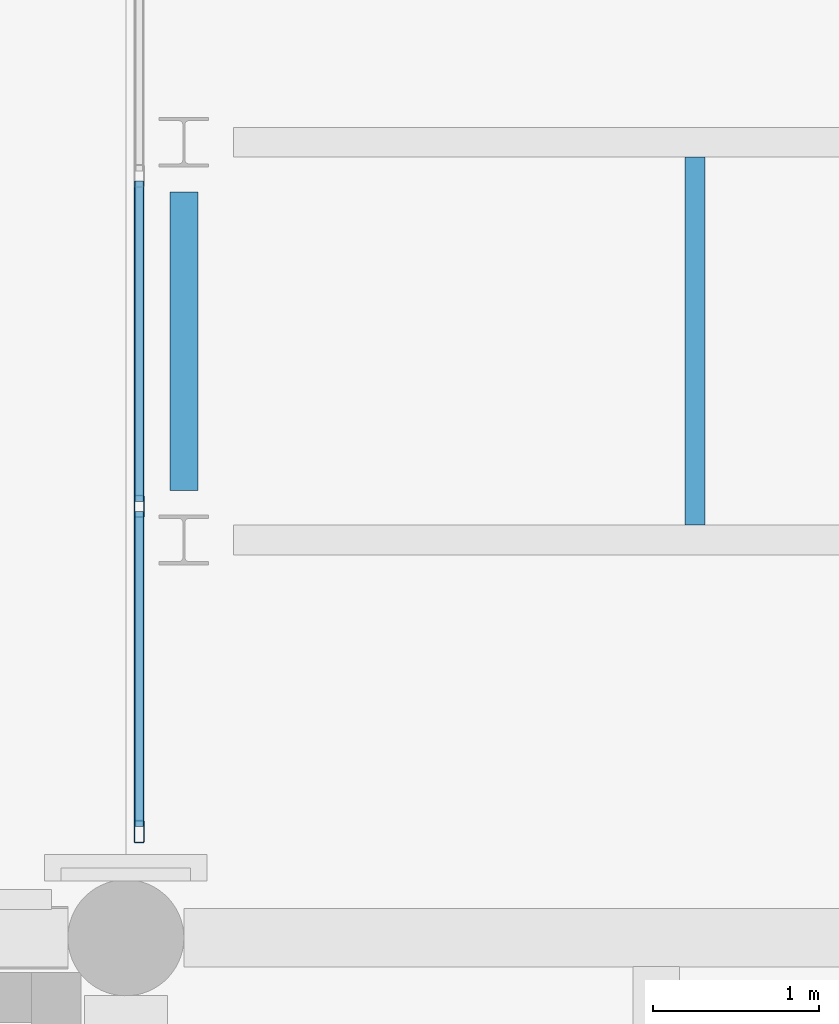
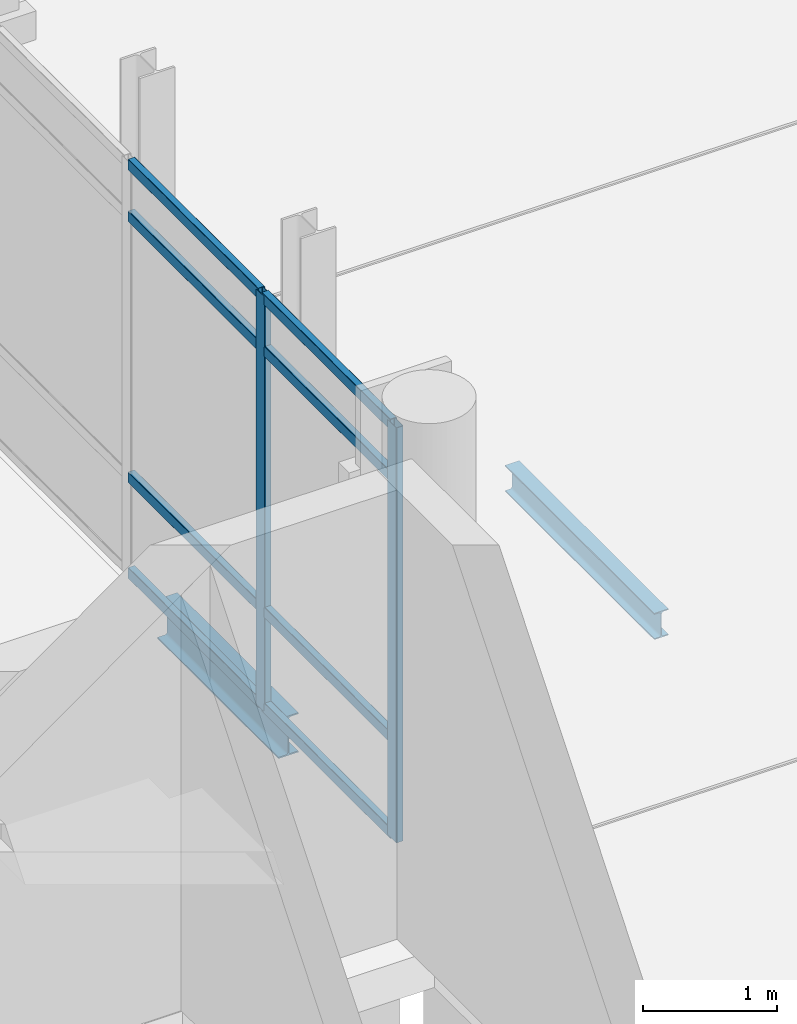
# One storey, part 30 of 196: 10 members, 2 beams, 1 element without a shape of its own.
"""IFC4 building model written with IfcOpenShell, lengths in metres."""

from ifc_helpers import new_model, si_unit, direction, frame, origin, origin_2d, place, context, subcontext, project, spatial, hollow_rectangle, i_section, extrude, material, layer, layer_set, material_profile, profile_set, type_object, element, aggregate, save


model = new_model("IFC4")

# Units and contexts
model_context = context("Model", 3, precision=1e-05, world=origin(), true_north=direction((0.0, 1.0)))
body_context = subcontext(model_context, "Body", "Model", "MODEL_VIEW")
ifc_project = project(units=[si_unit("LENGTHUNIT", "METRE"), si_unit("AREAUNIT", "SQUARE_METRE"), si_unit("VOLUMEUNIT", "CUBIC_METRE"), si_unit("PLANEANGLEUNIT", "RADIAN"), si_unit("MASSUNIT", "GRAM", prefix="KILO")], contexts=[model_context])

# Site, building, storey
site_placement = place(None, origin())
site = spatial("IfcSite", under=ifc_project, at=site_placement, CompositionType="ELEMENT")
building_placement = place(site_placement, origin())
building = spatial("IfcBuilding", under=site, at=building_placement, Name="Asteropetra Specialist Clinic", CompositionType="ELEMENT")
storey_placement = place(building_placement, origin())
storey = spatial("IfcBuildingStorey", under=building, at=storey_placement, Name="L00", CompositionType="ELEMENT", Elevation=0.0)

# Beam
ifc_material_1 = material(Name="Steel S355", Category="steel")
ifc_material_profile_1 = material_profile(ifc_material_1, i_section(OverallWidth=0.169921875, OverallDepth=0.360107421875, WebThickness=0.008056640625, FlangeThickness=0.0126953125, FilletRadius=0.01806640625, at=origin_2d()), Name="IPE 360")
ifc_profile_set_1 = profile_set([ifc_material_profile_1], Name="Steel S355")
beam_type_1 = type_object("IfcBeamType", Name="BM-STL-IPE360", PredefinedType="BEAM", material=ifc_profile_set_1)
beam_1_placement = place(storey_placement, frame((9.949951171875, 29.10009765625, -0.419921875), z_axis=(0.0, 1.0, 0.0), x_axis=(-1.0, 0.0, 0.0)))
element("IfcBeam", 1, at=beam_1_placement, inside=storey, type_object=beam_type_1, Name="Beam BBMS4-0219", PredefinedType="BEAM", context=body_context, shape_type="SweptSolid", body=[
    extrude(i_section(OverallWidth=0.169921875, OverallDepth=0.360107421875, WebThickness=0.008056640625, FlangeThickness=0.0126953125, FilletRadius=0.01806640625, at=origin_2d()), origin(), (0.0, 0.0, 1.0), 1.7998046875),
])

# Curtain wall, members
ifc_material_2 = material(Name="Aluminium and low-E glass", Category="aluminium")
ifc_layer = layer(ifc_material_2, 0.179931640625)
ifc_layer_set = layer_set([ifc_layer], Name="Aluminium and low-E glass")
curtain_wall_type = type_object("IfcCurtainWallType", Name="CW-SYS-07", PredefinedType="USERDEFINED", material=ifc_layer_set)
curtain_wall_placement = place(storey_placement, origin())
curtain_wall = element("IfcCurtainWall", 2, at=curtain_wall_placement, inside=storey, type_object=curtain_wall_type, Name="Curtain Wall CW-095", ObjectType="STICK GLAZED COLONNADE", PredefinedType="USERDEFINED")
ifc_material_3 = material(Name="Aluminium 6063-T6", Category="aluminium")
ifc_material_profile_2 = material_profile(ifc_material_3, hollow_rectangle(XDim=0.06005859375, YDim=0.135009765625, WallThickness=0.00341796875, InnerFilletRadius=0.00341796875, OuterFilletRadius=0.007080078125, at=origin_2d()), Name="MUL 135x60x3.5")
ifc_profile_set_2 = profile_set([ifc_material_profile_2], Name="Aluminium 6063-T6")
member_type_1 = type_object("IfcMemberType", Name="CWM-135x60", PredefinedType="MULLION", material=ifc_profile_set_2)
member_1_placement = place(storey_placement, frame((9.679931640625, 27.0400390625, 0.0), z_axis=(0.0, 0.0, 1.0), x_axis=(-1.0, 0.0, 0.0)))
member_1 = element("IfcMember", 3, at=member_1_placement, type_object=member_type_1, Name="CW-095 mullion 1", PredefinedType="MULLION", context=body_context, shape_type="SweptSolid", body=[
    extrude(hollow_rectangle(XDim=0.06005859375, YDim=0.135009765625, WallThickness=0.00341796875, InnerFilletRadius=0.00341796875, OuterFilletRadius=0.007080078125, at=origin_2d()), origin(), (0.0, 0.0, 1.0), 3.77001953125),
])
member_2_placement = place(storey_placement, frame((9.679931640625, 29.00341796875, 0.0), z_axis=(0.0, 0.0, 1.0), x_axis=(-1.0, 0.0, 0.0)))
member_2 = element("IfcMember", 4, at=member_2_placement, type_object=member_type_1, Name="CW-095 mullion 2", PredefinedType="MULLION", context=body_context, shape_type="SweptSolid", body=[
    extrude(hollow_rectangle(XDim=0.06005859375, YDim=0.135009765625, WallThickness=0.00341796875, InnerFilletRadius=0.00341796875, OuterFilletRadius=0.007080078125, at=origin_2d()), origin(), (0.0, 0.0, 1.0), 3.77001953125),
])
ifc_material_4 = material(Name="Aluminium 6063-T6", Category="aluminium")
ifc_material_profile_3 = material_profile(ifc_material_4, hollow_rectangle(XDim=0.06005859375, YDim=0.10009765625, WallThickness=0.00341796875, InnerFilletRadius=0.00341796875, OuterFilletRadius=0.007080078125, at=origin_2d()), Name="TRN 100x60x3.5")
ifc_profile_set_3 = profile_set([ifc_material_profile_3], Name="Aluminium 6063-T6")
member_type_2 = type_object("IfcMemberType", Name="CWT-100x60", PredefinedType="USERDEFINED", material=ifc_profile_set_3)
member_3_placement = place(storey_placement, frame((9.679931640625, 27.070068359375, 0.030029296875), z_axis=(0.0, 1.0, 0.0), x_axis=(-1.0, 0.0, 0.0)))
member_3 = element("IfcMember", 5, at=member_3_placement, type_object=member_type_2, Name="CW-095 transom 1.1", ObjectType="TRANSOM", PredefinedType="USERDEFINED", context=body_context, shape_type="SweptSolid", body=[
    extrude(hollow_rectangle(XDim=0.06005859375, YDim=0.10009765625, WallThickness=0.00341796875, InnerFilletRadius=0.00341796875, OuterFilletRadius=0.007080078125, at=origin_2d()), origin(), (0.0, 0.0, 1.0), 1.9033203125),
])
member_4_placement = place(storey_placement, frame((9.679931640625, 27.070068359375, 0.89990234375), z_axis=(0.0, 1.0, 0.0), x_axis=(-1.0, 0.0, 0.0)))
member_4 = element("IfcMember", 6, at=member_4_placement, type_object=member_type_2, Name="CW-095 transom 1.2", ObjectType="TRANSOM", PredefinedType="USERDEFINED", context=body_context, shape_type="SweptSolid", body=[
    extrude(hollow_rectangle(XDim=0.06005859375, YDim=0.10009765625, WallThickness=0.00341796875, InnerFilletRadius=0.00341796875, OuterFilletRadius=0.007080078125, at=origin_2d()), origin(), (0.0, 0.0, 1.0), 1.9033203125),
])
member_5_placement = place(storey_placement, frame((9.679931640625, 27.070068359375, 3.27001953125), z_axis=(0.0, 1.0, 0.0), x_axis=(-1.0, 0.0, 0.0)))
member_5 = element("IfcMember", 7, at=member_5_placement, type_object=member_type_2, Name="CW-095 transom 1.3", ObjectType="TRANSOM", PredefinedType="USERDEFINED", context=body_context, shape_type="SweptSolid", body=[
    extrude(hollow_rectangle(XDim=0.06005859375, YDim=0.10009765625, WallThickness=0.00341796875, InnerFilletRadius=0.00341796875, OuterFilletRadius=0.007080078125, at=origin_2d()), origin(), (0.0, 0.0, 1.0), 1.9033203125),
])
member_6_placement = place(storey_placement, frame((9.679931640625, 27.070068359375, 3.739990234375), z_axis=(0.0, 1.0, 0.0), x_axis=(-1.0, 0.0, 0.0)))
member_6 = element("IfcMember", 8, at=member_6_placement, type_object=member_type_2, Name="CW-095 transom 1.4", ObjectType="TRANSOM", PredefinedType="USERDEFINED", context=body_context, shape_type="SweptSolid", body=[
    extrude(hollow_rectangle(XDim=0.06005859375, YDim=0.10009765625, WallThickness=0.00341796875, InnerFilletRadius=0.00341796875, OuterFilletRadius=0.007080078125, at=origin_2d()), origin(), (0.0, 0.0, 1.0), 1.9033203125),
])
member_7_placement = place(storey_placement, frame((9.679931640625, 29.033447265625, 0.030029296875), z_axis=(0.0, 1.0, 0.0), x_axis=(-1.0, 0.0, 0.0)))
member_7 = element("IfcMember", 9, at=member_7_placement, type_object=member_type_2, Name="CW-095 transom 2.1", ObjectType="TRANSOM", PredefinedType="USERDEFINED", context=body_context, shape_type="SweptSolid", body=[
    extrude(hollow_rectangle(XDim=0.06005859375, YDim=0.10009765625, WallThickness=0.00341796875, InnerFilletRadius=0.00341796875, OuterFilletRadius=0.007080078125, at=origin_2d()), origin(), (0.0, 0.0, 1.0), 1.93310546875),
])
member_8_placement = place(storey_placement, frame((9.679931640625, 29.033447265625, 0.89990234375), z_axis=(0.0, 1.0, 0.0), x_axis=(-1.0, 0.0, 0.0)))
member_8 = element("IfcMember", 10, at=member_8_placement, type_object=member_type_2, Name="CW-095 transom 2.2", ObjectType="TRANSOM", PredefinedType="USERDEFINED", context=body_context, shape_type="SweptSolid", body=[
    extrude(hollow_rectangle(XDim=0.06005859375, YDim=0.10009765625, WallThickness=0.00341796875, InnerFilletRadius=0.00341796875, OuterFilletRadius=0.007080078125, at=origin_2d()), origin(), (0.0, 0.0, 1.0), 1.93310546875),
])
member_9_placement = place(storey_placement, frame((9.679931640625, 29.033447265625, 3.27001953125), z_axis=(0.0, 1.0, 0.0), x_axis=(-1.0, 0.0, 0.0)))
member_9 = element("IfcMember", 11, at=member_9_placement, type_object=member_type_2, Name="CW-095 transom 2.3", ObjectType="TRANSOM", PredefinedType="USERDEFINED", context=body_context, shape_type="SweptSolid", body=[
    extrude(hollow_rectangle(XDim=0.06005859375, YDim=0.10009765625, WallThickness=0.00341796875, InnerFilletRadius=0.00341796875, OuterFilletRadius=0.007080078125, at=origin_2d()), origin(), (0.0, 0.0, 1.0), 1.93310546875),
])
member_10_placement = place(storey_placement, frame((9.679931640625, 29.033447265625, 3.739990234375), z_axis=(0.0, 1.0, 0.0), x_axis=(-1.0, 0.0, 0.0)))
member_10 = element("IfcMember", 12, at=member_10_placement, type_object=member_type_2, Name="CW-095 transom 2.4", ObjectType="TRANSOM", PredefinedType="USERDEFINED", context=body_context, shape_type="SweptSolid", body=[
    extrude(hollow_rectangle(XDim=0.06005859375, YDim=0.10009765625, WallThickness=0.00341796875, InnerFilletRadius=0.00341796875, OuterFilletRadius=0.007080078125, at=origin_2d()), origin(), (0.0, 0.0, 1.0), 1.93310546875),
])
aggregate(curtain_wall, [member_1, member_2, member_3, member_4, member_5, member_6, member_7, member_8, member_9, member_10])

# Beam
ifc_material_5 = material(Name="Steel S355", Category="steel")
ifc_material_profile_4 = material_profile(ifc_material_5, i_section(OverallWidth=0.1201171875, OverallDepth=0.239990234375, WebThickness=0.006103515625, FlangeThickness=0.009765625, FilletRadius=0.014892578125, at=origin_2d()), Name="IPE 240")
ifc_profile_set_4 = profile_set([ifc_material_profile_4], Name="Steel S355")
beam_type_2 = type_object("IfcBeamType", Name="JST-STL-IPE240", PredefinedType="JOIST", material=ifc_profile_set_4)
beam_2_placement = place(storey_placement, frame((13.033203125, 28.889892578125, -0.360107421875), z_axis=(0.0, 1.0, 0.0), x_axis=(-1.0, 0.0, 0.0)))
element("IfcBeam", 13, at=beam_2_placement, inside=storey, type_object=beam_type_2, Name="Joist JJSTS1-0222", PredefinedType="JOIST", context=body_context, shape_type="SweptSolid", body=[
    extrude(i_section(OverallWidth=0.1201171875, OverallDepth=0.239990234375, WebThickness=0.006103515625, FlangeThickness=0.009765625, FilletRadius=0.014892578125, at=origin_2d()), origin(), (0.0, 0.0, 1.0), 2.22021484375),
])

save(model, "model.ifc")
